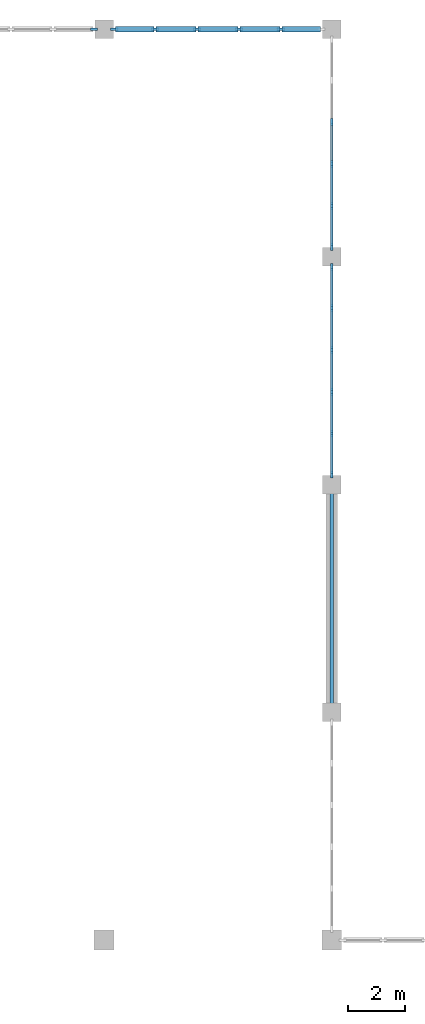
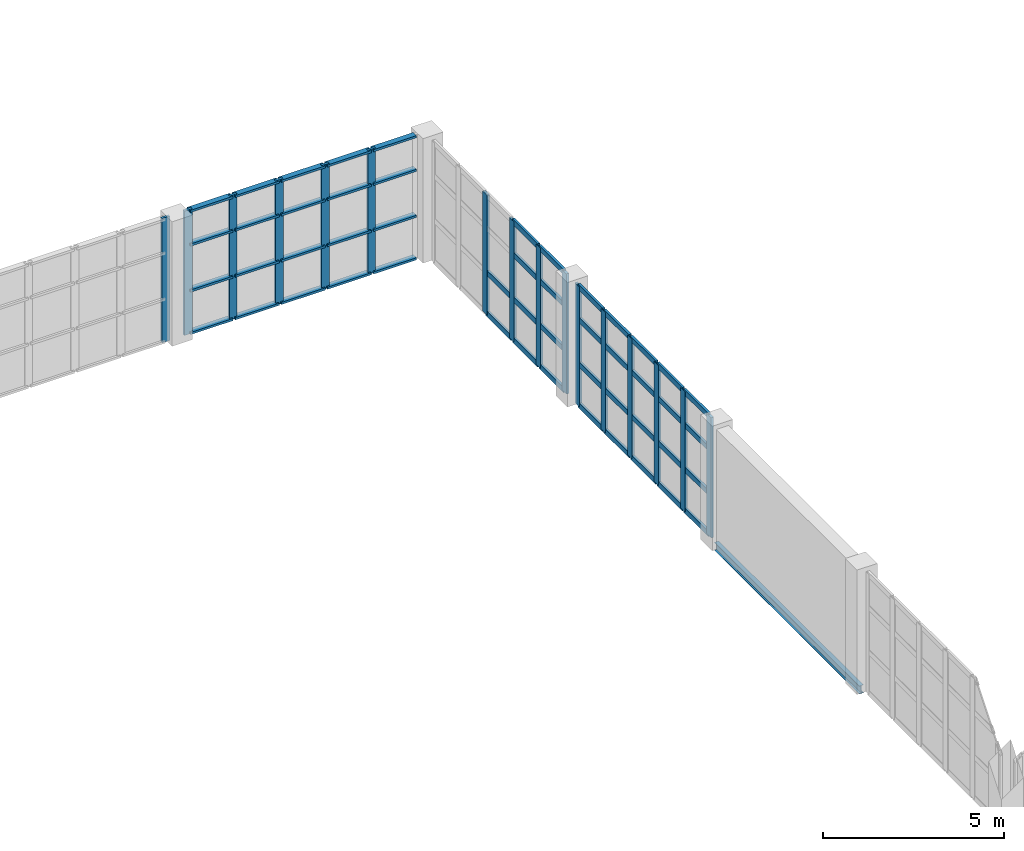
# One storey, part 22 of 66: 66 members, 1 beam, 4 elements without a shape of their own.
"""IFC4 building model written with IfcOpenShell, lengths in metres."""

from ifc_helpers import new_model, si_unit, direction, frame, origin, origin_2d, place, context, subcontext, project, spatial, rectangle, i_section, extrude, material, layer, layer_set, material_profile, profile_set, type_object, element, aggregate, save


model = new_model("IFC4")

# Units and contexts
model_context = context("Model", 3, precision=1e-05, world=origin(), true_north=direction((0.0, 1.0)))
body_context = subcontext(model_context, "Body", "Model", "MODEL_VIEW")
ifc_project = project(units=[si_unit("LENGTHUNIT", "METRE"), si_unit("AREAUNIT", "SQUARE_METRE"), si_unit("VOLUMEUNIT", "CUBIC_METRE"), si_unit("PLANEANGLEUNIT", "RADIAN"), si_unit("MASSUNIT", "GRAM", prefix="KILO")], contexts=[model_context])

# Site, building, storey
site_placement = place(None, origin())
site = spatial("IfcSite", under=ifc_project, at=site_placement, CompositionType="ELEMENT")
building_placement = place(site_placement, origin())
building = spatial("IfcBuilding", under=site, at=building_placement, Name="Drelvana Railside Aquatics Centre", CompositionType="ELEMENT")
storey_placement = place(building_placement, frame((0.0, 0.0, 10.199951171875)))
storey = spatial("IfcBuildingStorey", under=building, at=storey_placement, Name="L02", CompositionType="ELEMENT", Elevation=10.199951171875)

# Curtain wall, member
ifc_material_1 = material(Name="Bronze-anodised aluminium curtain wall", Category="aluminium")
ifc_layer = layer(ifc_material_1, 0.219970703125, Name="Bronze-anodised aluminium curtain wall")
ifc_layer_set = layer_set([ifc_layer], Name="Bronze-anodised aluminium curtain wall")
curtain_wall_type = type_object("IfcCurtainWallType", Name="CW-Z3-HIGH", PredefinedType="NOTDEFINED", material=ifc_layer_set)
curtain_wall_1_placement = place(storey_placement, origin())
curtain_wall_1 = element("IfcCurtainWall", 1, at=curtain_wall_1_placement, inside=storey, type_object=curtain_wall_type, Name="Curtain wall CW-03-039", PredefinedType="NOTDEFINED")
ifc_material_2 = material(Name="Bronze-anodised aluminium 6063-T6", Category="aluminium")
ifc_material_profile_1 = material_profile(ifc_material_2, rectangle(XDim=0.080078125, YDim=0.25, at=origin_2d()), Name="ALU-M 80x250")
ifc_profile_set_1 = profile_set([ifc_material_profile_1], Name="Bronze-anodised aluminium 6063-T6")
member_type_1 = type_object("IfcMemberType", Name="CW-Z3-HIGH-MUL", PredefinedType="MULLION", material=ifc_profile_set_1)
member_1_placement = place(storey_placement, frame((63.64111328125, 116.0, -0.005859375), z_axis=(0.0, 0.0, 1.0), x_axis=(0.0, 1.0, 0.0)))
member_1 = element("IfcMember", 2, at=member_1_placement, type_object=member_type_1, Name="CW-03 mullion 6", PredefinedType="MULLION", context=body_context, shape_type="SweptSolid", body=[
    extrude(rectangle(XDim=0.080078125, YDim=0.25, at=origin_2d()), origin(), (0.0, 0.0, 1.0), 4.19580078125),
])
aggregate(curtain_wall_1, [member_1])

# Curtain wall, members
curtain_wall_2_placement = place(storey_placement, origin())
curtain_wall_2 = element("IfcCurtainWall", 3, at=curtain_wall_2_placement, inside=storey, type_object=curtain_wall_type, Name="Curtain wall CW-03-041", PredefinedType="NOTDEFINED")
member_2_placement = place(storey_placement, frame((64.35888671875, 116.0, -0.005859375), z_axis=(0.0, 0.0, 1.0), x_axis=(0.0, 1.0, 0.0)))
member_2 = element("IfcMember", 4, at=member_2_placement, type_object=member_type_1, Name="CW-03 mullion 1", PredefinedType="MULLION", context=body_context, shape_type="SweptSolid", body=[
    extrude(rectangle(XDim=0.080078125, YDim=0.25, at=origin_2d()), origin(), (0.0, 0.0, 1.0), 4.19580078125),
])
member_3_placement = place(storey_placement, frame((65.79150390625, 116.0, -0.005859375), z_axis=(0.0, 0.0, 1.0), x_axis=(0.0, 1.0, 0.0)))
member_3 = element("IfcMember", 5, at=member_3_placement, type_object=member_type_1, Name="CW-03 mullion 2", PredefinedType="MULLION", context=body_context, shape_type="SweptSolid", body=[
    extrude(rectangle(XDim=0.080078125, YDim=0.25, at=origin_2d()), origin(), (0.0, 0.0, 1.0), 4.19580078125),
])
member_4_placement = place(storey_placement, frame((67.263916015625, 116.0, -0.005859375), z_axis=(0.0, 0.0, 1.0), x_axis=(0.0, 1.0, 0.0)))
member_4 = element("IfcMember", 6, at=member_4_placement, type_object=member_type_1, Name="CW-03 mullion 3", PredefinedType="MULLION", context=body_context, shape_type="SweptSolid", body=[
    extrude(rectangle(XDim=0.080078125, YDim=0.25, at=origin_2d()), origin(), (0.0, 0.0, 1.0), 4.19580078125),
])
member_5_placement = place(storey_placement, frame((68.736083984375, 116.0, -0.005859375), z_axis=(0.0, 0.0, 1.0), x_axis=(0.0, 1.0, 0.0)))
member_5 = element("IfcMember", 7, at=member_5_placement, type_object=member_type_1, Name="CW-03 mullion 4", PredefinedType="MULLION", context=body_context, shape_type="SweptSolid", body=[
    extrude(rectangle(XDim=0.080078125, YDim=0.25, at=origin_2d()), origin(), (0.0, 0.0, 1.0), 4.19580078125),
])
member_6_placement = place(storey_placement, frame((70.20849609375, 116.0, -0.005859375), z_axis=(0.0, 0.0, 1.0), x_axis=(0.0, 1.0, 0.0)))
member_6 = element("IfcMember", 8, at=member_6_placement, type_object=member_type_1, Name="CW-03 mullion 5", PredefinedType="MULLION", context=body_context, shape_type="SweptSolid", body=[
    extrude(rectangle(XDim=0.080078125, YDim=0.25, at=origin_2d()), origin(), (0.0, 0.0, 1.0), 4.19580078125),
])

curtain_wall_3_placement = place(storey_placement, origin())
curtain_wall_3 = element("IfcCurtainWall", 9, at=curtain_wall_3_placement, inside=storey, type_object=curtain_wall_type, Name="Curtain wall CW-03-095", PredefinedType="NOTDEFINED")
member_7_placement = place(storey_placement, frame((72.0, 100.35888671875, -0.005859375), z_axis=(0.0, 0.0, 1.0), x_axis=(-1.0, 0.0, 0.0)))
member_7 = element("IfcMember", 10, at=member_7_placement, type_object=member_type_1, Name="CW-03 mullion 1", PredefinedType="MULLION", context=body_context, shape_type="SweptSolid", body=[
    extrude(rectangle(XDim=0.080078125, YDim=0.25, at=origin_2d()), origin(), (0.0, 0.0, 1.0), 4.055908203125),
])
member_8_placement = place(storey_placement, frame((72.0, 101.79150390625, -0.005859375), z_axis=(0.0, 0.0, 1.0), x_axis=(-1.0, 0.0, 0.0)))
member_8 = element("IfcMember", 11, at=member_8_placement, type_object=member_type_1, Name="CW-03 mullion 2", PredefinedType="MULLION", context=body_context, shape_type="SweptSolid", body=[
    extrude(rectangle(XDim=0.080078125, YDim=0.25, at=origin_2d()), origin(), (0.0, 0.0, 1.0), 4.055908203125),
])
member_9_placement = place(storey_placement, frame((72.0, 103.263916015625, -0.005859375), z_axis=(0.0, 0.0, 1.0), x_axis=(-1.0, 0.0, 0.0)))
member_9 = element("IfcMember", 12, at=member_9_placement, type_object=member_type_1, Name="CW-03 mullion 3", PredefinedType="MULLION", context=body_context, shape_type="SweptSolid", body=[
    extrude(rectangle(XDim=0.080078125, YDim=0.25, at=origin_2d()), origin(), (0.0, 0.0, 1.0), 4.055908203125),
])
member_10_placement = place(storey_placement, frame((72.0, 104.736083984375, -0.005859375), z_axis=(0.0, 0.0, 1.0), x_axis=(-1.0, 0.0, 0.0)))
member_10 = element("IfcMember", 13, at=member_10_placement, type_object=member_type_1, Name="CW-03 mullion 4", PredefinedType="MULLION", context=body_context, shape_type="SweptSolid", body=[
    extrude(rectangle(XDim=0.080078125, YDim=0.25, at=origin_2d()), origin(), (0.0, 0.0, 1.0), 4.055908203125),
])
member_11_placement = place(storey_placement, frame((72.0, 106.20849609375, -0.005859375), z_axis=(0.0, 0.0, 1.0), x_axis=(-1.0, 0.0, 0.0)))
member_11 = element("IfcMember", 14, at=member_11_placement, type_object=member_type_1, Name="CW-03 mullion 5", PredefinedType="MULLION", context=body_context, shape_type="SweptSolid", body=[
    extrude(rectangle(XDim=0.080078125, YDim=0.25, at=origin_2d()), origin(), (0.0, 0.0, 1.0), 4.055908203125),
])
member_12_placement = place(storey_placement, frame((72.0, 107.64111328125, -0.005859375), z_axis=(0.0, 0.0, 1.0), x_axis=(-1.0, 0.0, 0.0)))
member_12 = element("IfcMember", 15, at=member_12_placement, type_object=member_type_1, Name="CW-03 mullion 6", PredefinedType="MULLION", context=body_context, shape_type="SweptSolid", body=[
    extrude(rectangle(XDim=0.080078125, YDim=0.25, at=origin_2d()), origin(), (0.0, 0.0, 1.0), 4.055908203125),
])

curtain_wall_4_placement = place(storey_placement, origin())
curtain_wall_4 = element("IfcCurtainWall", 16, at=curtain_wall_4_placement, inside=storey, type_object=curtain_wall_type, Name="Curtain wall CW-03-098", PredefinedType="NOTDEFINED")
member_13_placement = place(storey_placement, frame((72.0, 108.35888671875, -0.005859375), z_axis=(0.0, 0.0, 1.0), x_axis=(-1.0, 0.0, 0.0)))
member_13 = element("IfcMember", 17, at=member_13_placement, type_object=member_type_1, Name="CW-03 mullion 1", PredefinedType="MULLION", context=body_context, shape_type="SweptSolid", body=[
    extrude(rectangle(XDim=0.080078125, YDim=0.25, at=origin_2d()), origin(), (0.0, 0.0, 1.0), 4.055908203125),
])
member_14_placement = place(storey_placement, frame((72.0, 109.79150390625, -0.005859375), z_axis=(0.0, 0.0, 1.0), x_axis=(-1.0, 0.0, 0.0)))
member_14 = element("IfcMember", 18, at=member_14_placement, type_object=member_type_1, Name="CW-03 mullion 2", PredefinedType="MULLION", context=body_context, shape_type="SweptSolid", body=[
    extrude(rectangle(XDim=0.080078125, YDim=0.25, at=origin_2d()), origin(), (0.0, 0.0, 1.0), 4.055908203125),
])
member_15_placement = place(storey_placement, frame((72.0, 111.263916015625, -0.005859375), z_axis=(0.0, 0.0, 1.0), x_axis=(-1.0, 0.0, 0.0)))
member_15 = element("IfcMember", 19, at=member_15_placement, type_object=member_type_1, Name="CW-03 mullion 3", PredefinedType="MULLION", context=body_context, shape_type="SweptSolid", body=[
    extrude(rectangle(XDim=0.080078125, YDim=0.25, at=origin_2d()), origin(), (0.0, 0.0, 1.0), 4.055908203125),
])
member_16_placement = place(storey_placement, frame((72.0, 112.736083984375, -0.005859375), z_axis=(0.0, 0.0, 1.0), x_axis=(-1.0, 0.0, 0.0)))
member_16 = element("IfcMember", 20, at=member_16_placement, type_object=member_type_1, Name="CW-03 mullion 4", PredefinedType="MULLION", context=body_context, shape_type="SweptSolid", body=[
    extrude(rectangle(XDim=0.080078125, YDim=0.25, at=origin_2d()), origin(), (0.0, 0.0, 1.0), 4.055908203125),
])

# Member
ifc_material_profile_2 = material_profile(ifc_material_2, rectangle(XDim=0.179931640625, YDim=0.074951171875, at=origin_2d()), Name="ALU-T 75x180")
ifc_profile_set_2 = profile_set([ifc_material_profile_2], Name="Bronze-anodised aluminium 6063-T6")
member_type_2 = type_object("IfcMemberType", Name="CW-Z3-HIGH-TRN", PredefinedType="USERDEFINED", material=ifc_profile_set_2)
member_17_placement = place(storey_placement, frame((64.39404296875, 116.0, 0.031494140625), z_axis=(1.0, 0.0, 0.0), x_axis=(0.0, 1.0, 0.0)))
member_17 = element("IfcMember", 21, at=member_17_placement, type_object=member_type_2, Name="CW-03 transom 1.1", ObjectType="TRANSOM", PredefinedType="USERDEFINED", context=body_context, shape_type="SweptSolid", body=[
    extrude(rectangle(XDim=0.179931640625, YDim=0.074951171875, at=origin_2d()), origin(), (0.0, 0.0, 1.0), 1.3623046875),
])

member_18_placement = place(storey_placement, frame((64.39404296875, 116.0, 1.463134765625), z_axis=(1.0, 0.0, 0.0), x_axis=(0.0, 1.0, 0.0)))
member_18 = element("IfcMember", 22, at=member_18_placement, type_object=member_type_2, Name="CW-03 transom 1.2", ObjectType="TRANSOM", PredefinedType="USERDEFINED", context=body_context, shape_type="SweptSolid", body=[
    extrude(rectangle(XDim=0.179931640625, YDim=0.074951171875, at=origin_2d()), origin(), (0.0, 0.0, 1.0), 1.3623046875),
])

member_19_placement = place(storey_placement, frame((64.39404296875, 116.0, 3.01513671875), z_axis=(1.0, 0.0, 0.0), x_axis=(0.0, 1.0, 0.0)))
member_19 = element("IfcMember", 23, at=member_19_placement, type_object=member_type_2, Name="CW-03 transom 1.3", ObjectType="TRANSOM", PredefinedType="USERDEFINED", context=body_context, shape_type="SweptSolid", body=[
    extrude(rectangle(XDim=0.179931640625, YDim=0.074951171875, at=origin_2d()), origin(), (0.0, 0.0, 1.0), 1.3623046875),
])

member_20_placement = place(storey_placement, frame((64.39404296875, 116.0, 4.152587890625), z_axis=(1.0, 0.0, 0.0), x_axis=(0.0, 1.0, 0.0)))
member_20 = element("IfcMember", 24, at=member_20_placement, type_object=member_type_2, Name="CW-03 transom 1.4", ObjectType="TRANSOM", PredefinedType="USERDEFINED", context=body_context, shape_type="SweptSolid", body=[
    extrude(rectangle(XDim=0.179931640625, YDim=0.074951171875, at=origin_2d()), origin(), (0.0, 0.0, 1.0), 1.3623046875),
])

member_21_placement = place(storey_placement, frame((65.826416015625, 116.0, 0.031494140625), z_axis=(1.0, 0.0, 0.0), x_axis=(0.0, 1.0, 0.0)))
member_21 = element("IfcMember", 25, at=member_21_placement, type_object=member_type_2, Name="CW-03 transom 2.1", ObjectType="TRANSOM", PredefinedType="USERDEFINED", context=body_context, shape_type="SweptSolid", body=[
    extrude(rectangle(XDim=0.179931640625, YDim=0.074951171875, at=origin_2d()), origin(), (0.0, 0.0, 1.0), 1.40234375),
])

member_22_placement = place(storey_placement, frame((65.826416015625, 116.0, 1.463134765625), z_axis=(1.0, 0.0, 0.0), x_axis=(0.0, 1.0, 0.0)))
member_22 = element("IfcMember", 26, at=member_22_placement, type_object=member_type_2, Name="CW-03 transom 2.2", ObjectType="TRANSOM", PredefinedType="USERDEFINED", context=body_context, shape_type="SweptSolid", body=[
    extrude(rectangle(XDim=0.179931640625, YDim=0.074951171875, at=origin_2d()), origin(), (0.0, 0.0, 1.0), 1.40234375),
])

member_23_placement = place(storey_placement, frame((65.826416015625, 116.0, 3.01513671875), z_axis=(1.0, 0.0, 0.0), x_axis=(0.0, 1.0, 0.0)))
member_23 = element("IfcMember", 27, at=member_23_placement, type_object=member_type_2, Name="CW-03 transom 2.3", ObjectType="TRANSOM", PredefinedType="USERDEFINED", context=body_context, shape_type="SweptSolid", body=[
    extrude(rectangle(XDim=0.179931640625, YDim=0.074951171875, at=origin_2d()), origin(), (0.0, 0.0, 1.0), 1.40234375),
])

member_24_placement = place(storey_placement, frame((65.826416015625, 116.0, 4.152587890625), z_axis=(1.0, 0.0, 0.0), x_axis=(0.0, 1.0, 0.0)))
member_24 = element("IfcMember", 28, at=member_24_placement, type_object=member_type_2, Name="CW-03 transom 2.4", ObjectType="TRANSOM", PredefinedType="USERDEFINED", context=body_context, shape_type="SweptSolid", body=[
    extrude(rectangle(XDim=0.179931640625, YDim=0.074951171875, at=origin_2d()), origin(), (0.0, 0.0, 1.0), 1.40234375),
])

member_25_placement = place(storey_placement, frame((67.298828125, 116.0, 0.031494140625), z_axis=(1.0, 0.0, 0.0), x_axis=(0.0, 1.0, 0.0)))
member_25 = element("IfcMember", 29, at=member_25_placement, type_object=member_type_2, Name="CW-03 transom 3.1", ObjectType="TRANSOM", PredefinedType="USERDEFINED", context=body_context, shape_type="SweptSolid", body=[
    extrude(rectangle(XDim=0.179931640625, YDim=0.074951171875, at=origin_2d()), origin(), (0.0, 0.0, 1.0), 1.40234375),
])

member_26_placement = place(storey_placement, frame((67.298828125, 116.0, 1.463134765625), z_axis=(1.0, 0.0, 0.0), x_axis=(0.0, 1.0, 0.0)))
member_26 = element("IfcMember", 30, at=member_26_placement, type_object=member_type_2, Name="CW-03 transom 3.2", ObjectType="TRANSOM", PredefinedType="USERDEFINED", context=body_context, shape_type="SweptSolid", body=[
    extrude(rectangle(XDim=0.179931640625, YDim=0.074951171875, at=origin_2d()), origin(), (0.0, 0.0, 1.0), 1.40234375),
])

member_27_placement = place(storey_placement, frame((67.298828125, 116.0, 3.01513671875), z_axis=(1.0, 0.0, 0.0), x_axis=(0.0, 1.0, 0.0)))
member_27 = element("IfcMember", 31, at=member_27_placement, type_object=member_type_2, Name="CW-03 transom 3.3", ObjectType="TRANSOM", PredefinedType="USERDEFINED", context=body_context, shape_type="SweptSolid", body=[
    extrude(rectangle(XDim=0.179931640625, YDim=0.074951171875, at=origin_2d()), origin(), (0.0, 0.0, 1.0), 1.40234375),
])

member_28_placement = place(storey_placement, frame((67.298828125, 116.0, 4.152587890625), z_axis=(1.0, 0.0, 0.0), x_axis=(0.0, 1.0, 0.0)))
member_28 = element("IfcMember", 32, at=member_28_placement, type_object=member_type_2, Name="CW-03 transom 3.4", ObjectType="TRANSOM", PredefinedType="USERDEFINED", context=body_context, shape_type="SweptSolid", body=[
    extrude(rectangle(XDim=0.179931640625, YDim=0.074951171875, at=origin_2d()), origin(), (0.0, 0.0, 1.0), 1.40234375),
])

member_29_placement = place(storey_placement, frame((68.771240234375, 116.0, 0.031494140625), z_axis=(1.0, 0.0, 0.0), x_axis=(0.0, 1.0, 0.0)))
member_29 = element("IfcMember", 33, at=member_29_placement, type_object=member_type_2, Name="CW-03 transom 4.1", ObjectType="TRANSOM", PredefinedType="USERDEFINED", context=body_context, shape_type="SweptSolid", body=[
    extrude(rectangle(XDim=0.179931640625, YDim=0.074951171875, at=origin_2d()), origin(), (0.0, 0.0, 1.0), 1.40234375),
])

member_30_placement = place(storey_placement, frame((68.771240234375, 116.0, 1.463134765625), z_axis=(1.0, 0.0, 0.0), x_axis=(0.0, 1.0, 0.0)))
member_30 = element("IfcMember", 34, at=member_30_placement, type_object=member_type_2, Name="CW-03 transom 4.2", ObjectType="TRANSOM", PredefinedType="USERDEFINED", context=body_context, shape_type="SweptSolid", body=[
    extrude(rectangle(XDim=0.179931640625, YDim=0.074951171875, at=origin_2d()), origin(), (0.0, 0.0, 1.0), 1.40234375),
])

member_31_placement = place(storey_placement, frame((68.771240234375, 116.0, 3.01513671875), z_axis=(1.0, 0.0, 0.0), x_axis=(0.0, 1.0, 0.0)))
member_31 = element("IfcMember", 35, at=member_31_placement, type_object=member_type_2, Name="CW-03 transom 4.3", ObjectType="TRANSOM", PredefinedType="USERDEFINED", context=body_context, shape_type="SweptSolid", body=[
    extrude(rectangle(XDim=0.179931640625, YDim=0.074951171875, at=origin_2d()), origin(), (0.0, 0.0, 1.0), 1.40234375),
])

member_32_placement = place(storey_placement, frame((68.771240234375, 116.0, 4.152587890625), z_axis=(1.0, 0.0, 0.0), x_axis=(0.0, 1.0, 0.0)))
member_32 = element("IfcMember", 36, at=member_32_placement, type_object=member_type_2, Name="CW-03 transom 4.4", ObjectType="TRANSOM", PredefinedType="USERDEFINED", context=body_context, shape_type="SweptSolid", body=[
    extrude(rectangle(XDim=0.179931640625, YDim=0.074951171875, at=origin_2d()), origin(), (0.0, 0.0, 1.0), 1.40234375),
])

member_33_placement = place(storey_placement, frame((70.24365234375, 116.0, 0.031494140625), z_axis=(1.0, 0.0, 0.0), x_axis=(0.0, 1.0, 0.0)))
member_33 = element("IfcMember", 37, at=member_33_placement, type_object=member_type_2, Name="CW-03 transom 5.1", ObjectType="TRANSOM", PredefinedType="USERDEFINED", context=body_context, shape_type="SweptSolid", body=[
    extrude(rectangle(XDim=0.179931640625, YDim=0.074951171875, at=origin_2d()), origin(), (0.0, 0.0, 1.0), 1.3623046875),
])

member_34_placement = place(storey_placement, frame((70.24365234375, 116.0, 1.463134765625), z_axis=(1.0, 0.0, 0.0), x_axis=(0.0, 1.0, 0.0)))
member_34 = element("IfcMember", 38, at=member_34_placement, type_object=member_type_2, Name="CW-03 transom 5.2", ObjectType="TRANSOM", PredefinedType="USERDEFINED", context=body_context, shape_type="SweptSolid", body=[
    extrude(rectangle(XDim=0.179931640625, YDim=0.074951171875, at=origin_2d()), origin(), (0.0, 0.0, 1.0), 1.3623046875),
])

member_35_placement = place(storey_placement, frame((70.24365234375, 116.0, 3.01513671875), z_axis=(1.0, 0.0, 0.0), x_axis=(0.0, 1.0, 0.0)))
member_35 = element("IfcMember", 39, at=member_35_placement, type_object=member_type_2, Name="CW-03 transom 5.3", ObjectType="TRANSOM", PredefinedType="USERDEFINED", context=body_context, shape_type="SweptSolid", body=[
    extrude(rectangle(XDim=0.179931640625, YDim=0.074951171875, at=origin_2d()), origin(), (0.0, 0.0, 1.0), 1.3623046875),
])

member_36_placement = place(storey_placement, frame((70.24365234375, 116.0, 4.152587890625), z_axis=(1.0, 0.0, 0.0), x_axis=(0.0, 1.0, 0.0)))
member_36 = element("IfcMember", 40, at=member_36_placement, type_object=member_type_2, Name="CW-03 transom 5.4", ObjectType="TRANSOM", PredefinedType="USERDEFINED", context=body_context, shape_type="SweptSolid", body=[
    extrude(rectangle(XDim=0.179931640625, YDim=0.074951171875, at=origin_2d()), origin(), (0.0, 0.0, 1.0), 1.3623046875),
])

aggregate(curtain_wall_2, [member_2, member_3, member_4, member_5, member_6, member_17, member_18, member_19, member_20, member_21, member_22, member_23, member_24, member_25, member_26, member_27, member_28, member_29, member_30, member_31, member_32, member_33, member_34, member_35, member_36])

member_37_placement = place(storey_placement, frame((72.0, 100.39404296875, 0.031494140625), z_axis=(0.0, 1.0, 0.0), x_axis=(0.0, 0.0, 1.0)))
member_37 = element("IfcMember", 41, at=member_37_placement, type_object=member_type_2, Name="CW-03 transom 1.1", ObjectType="TRANSOM", PredefinedType="USERDEFINED", context=body_context, shape_type="SweptSolid", body=[
    extrude(rectangle(XDim=0.179931640625, YDim=0.074951171875, at=origin_2d()), origin(), (0.0, 0.0, 1.0), 1.3623046875),
])

member_38_placement = place(storey_placement, frame((72.0, 100.39404296875, 1.4140625), z_axis=(0.0, 1.0, 0.0), x_axis=(0.0, 0.0, 1.0)))
member_38 = element("IfcMember", 42, at=member_38_placement, type_object=member_type_2, Name="CW-03 transom 1.2", ObjectType="TRANSOM", PredefinedType="USERDEFINED", context=body_context, shape_type="SweptSolid", body=[
    extrude(rectangle(XDim=0.179931640625, YDim=0.074951171875, at=origin_2d()), origin(), (0.0, 0.0, 1.0), 1.3623046875),
])

member_39_placement = place(storey_placement, frame((72.0, 100.39404296875, 2.9140625), z_axis=(0.0, 1.0, 0.0), x_axis=(0.0, 0.0, 1.0)))
member_39 = element("IfcMember", 43, at=member_39_placement, type_object=member_type_2, Name="CW-03 transom 1.3", ObjectType="TRANSOM", PredefinedType="USERDEFINED", context=body_context, shape_type="SweptSolid", body=[
    extrude(rectangle(XDim=0.179931640625, YDim=0.074951171875, at=origin_2d()), origin(), (0.0, 0.0, 1.0), 1.3623046875),
])

member_40_placement = place(storey_placement, frame((72.0, 100.39404296875, 4.012451171875), z_axis=(0.0, 1.0, 0.0), x_axis=(0.0, 0.0, 1.0)))
member_40 = element("IfcMember", 44, at=member_40_placement, type_object=member_type_2, Name="CW-03 transom 1.4", ObjectType="TRANSOM", PredefinedType="USERDEFINED", context=body_context, shape_type="SweptSolid", body=[
    extrude(rectangle(XDim=0.179931640625, YDim=0.074951171875, at=origin_2d()), origin(), (0.0, 0.0, 1.0), 1.3623046875),
])

member_41_placement = place(storey_placement, frame((72.0, 101.826416015625, 0.031494140625), z_axis=(0.0, 1.0, 0.0), x_axis=(0.0, 0.0, 1.0)))
member_41 = element("IfcMember", 45, at=member_41_placement, type_object=member_type_2, Name="CW-03 transom 2.1", ObjectType="TRANSOM", PredefinedType="USERDEFINED", context=body_context, shape_type="SweptSolid", body=[
    extrude(rectangle(XDim=0.179931640625, YDim=0.074951171875, at=origin_2d()), origin(), (0.0, 0.0, 1.0), 1.40234375),
])

member_42_placement = place(storey_placement, frame((72.0, 101.826416015625, 1.4140625), z_axis=(0.0, 1.0, 0.0), x_axis=(0.0, 0.0, 1.0)))
member_42 = element("IfcMember", 46, at=member_42_placement, type_object=member_type_2, Name="CW-03 transom 2.2", ObjectType="TRANSOM", PredefinedType="USERDEFINED", context=body_context, shape_type="SweptSolid", body=[
    extrude(rectangle(XDim=0.179931640625, YDim=0.074951171875, at=origin_2d()), origin(), (0.0, 0.0, 1.0), 1.40234375),
])

member_43_placement = place(storey_placement, frame((72.0, 101.826416015625, 2.9140625), z_axis=(0.0, 1.0, 0.0), x_axis=(0.0, 0.0, 1.0)))
member_43 = element("IfcMember", 47, at=member_43_placement, type_object=member_type_2, Name="CW-03 transom 2.3", ObjectType="TRANSOM", PredefinedType="USERDEFINED", context=body_context, shape_type="SweptSolid", body=[
    extrude(rectangle(XDim=0.179931640625, YDim=0.074951171875, at=origin_2d()), origin(), (0.0, 0.0, 1.0), 1.40234375),
])

member_44_placement = place(storey_placement, frame((72.0, 101.826416015625, 4.012451171875), z_axis=(0.0, 1.0, 0.0), x_axis=(0.0, 0.0, 1.0)))
member_44 = element("IfcMember", 48, at=member_44_placement, type_object=member_type_2, Name="CW-03 transom 2.4", ObjectType="TRANSOM", PredefinedType="USERDEFINED", context=body_context, shape_type="SweptSolid", body=[
    extrude(rectangle(XDim=0.179931640625, YDim=0.074951171875, at=origin_2d()), origin(), (0.0, 0.0, 1.0), 1.40234375),
])

member_45_placement = place(storey_placement, frame((72.0, 103.298828125, 0.031494140625), z_axis=(0.0, 1.0, 0.0), x_axis=(0.0, 0.0, 1.0)))
member_45 = element("IfcMember", 49, at=member_45_placement, type_object=member_type_2, Name="CW-03 transom 3.1", ObjectType="TRANSOM", PredefinedType="USERDEFINED", context=body_context, shape_type="SweptSolid", body=[
    extrude(rectangle(XDim=0.179931640625, YDim=0.074951171875, at=origin_2d()), origin(), (0.0, 0.0, 1.0), 1.40234375),
])

member_46_placement = place(storey_placement, frame((72.0, 103.298828125, 1.4140625), z_axis=(0.0, 1.0, 0.0), x_axis=(0.0, 0.0, 1.0)))
member_46 = element("IfcMember", 50, at=member_46_placement, type_object=member_type_2, Name="CW-03 transom 3.2", ObjectType="TRANSOM", PredefinedType="USERDEFINED", context=body_context, shape_type="SweptSolid", body=[
    extrude(rectangle(XDim=0.179931640625, YDim=0.074951171875, at=origin_2d()), origin(), (0.0, 0.0, 1.0), 1.40234375),
])

member_47_placement = place(storey_placement, frame((72.0, 103.298828125, 2.9140625), z_axis=(0.0, 1.0, 0.0), x_axis=(0.0, 0.0, 1.0)))
member_47 = element("IfcMember", 51, at=member_47_placement, type_object=member_type_2, Name="CW-03 transom 3.3", ObjectType="TRANSOM", PredefinedType="USERDEFINED", context=body_context, shape_type="SweptSolid", body=[
    extrude(rectangle(XDim=0.179931640625, YDim=0.074951171875, at=origin_2d()), origin(), (0.0, 0.0, 1.0), 1.40234375),
])

member_48_placement = place(storey_placement, frame((72.0, 103.298828125, 4.012451171875), z_axis=(0.0, 1.0, 0.0), x_axis=(0.0, 0.0, 1.0)))
member_48 = element("IfcMember", 52, at=member_48_placement, type_object=member_type_2, Name="CW-03 transom 3.4", ObjectType="TRANSOM", PredefinedType="USERDEFINED", context=body_context, shape_type="SweptSolid", body=[
    extrude(rectangle(XDim=0.179931640625, YDim=0.074951171875, at=origin_2d()), origin(), (0.0, 0.0, 1.0), 1.40234375),
])

member_49_placement = place(storey_placement, frame((72.0, 104.771240234375, 0.031494140625), z_axis=(0.0, 1.0, 0.0), x_axis=(0.0, 0.0, 1.0)))
member_49 = element("IfcMember", 53, at=member_49_placement, type_object=member_type_2, Name="CW-03 transom 4.1", ObjectType="TRANSOM", PredefinedType="USERDEFINED", context=body_context, shape_type="SweptSolid", body=[
    extrude(rectangle(XDim=0.179931640625, YDim=0.074951171875, at=origin_2d()), origin(), (0.0, 0.0, 1.0), 1.40234375),
])

member_50_placement = place(storey_placement, frame((72.0, 104.771240234375, 1.4140625), z_axis=(0.0, 1.0, 0.0), x_axis=(0.0, 0.0, 1.0)))
member_50 = element("IfcMember", 54, at=member_50_placement, type_object=member_type_2, Name="CW-03 transom 4.2", ObjectType="TRANSOM", PredefinedType="USERDEFINED", context=body_context, shape_type="SweptSolid", body=[
    extrude(rectangle(XDim=0.179931640625, YDim=0.074951171875, at=origin_2d()), origin(), (0.0, 0.0, 1.0), 1.40234375),
])

member_51_placement = place(storey_placement, frame((72.0, 104.771240234375, 2.9140625), z_axis=(0.0, 1.0, 0.0), x_axis=(0.0, 0.0, 1.0)))
member_51 = element("IfcMember", 55, at=member_51_placement, type_object=member_type_2, Name="CW-03 transom 4.3", ObjectType="TRANSOM", PredefinedType="USERDEFINED", context=body_context, shape_type="SweptSolid", body=[
    extrude(rectangle(XDim=0.179931640625, YDim=0.074951171875, at=origin_2d()), origin(), (0.0, 0.0, 1.0), 1.40234375),
])

member_52_placement = place(storey_placement, frame((72.0, 104.771240234375, 4.012451171875), z_axis=(0.0, 1.0, 0.0), x_axis=(0.0, 0.0, 1.0)))
member_52 = element("IfcMember", 56, at=member_52_placement, type_object=member_type_2, Name="CW-03 transom 4.4", ObjectType="TRANSOM", PredefinedType="USERDEFINED", context=body_context, shape_type="SweptSolid", body=[
    extrude(rectangle(XDim=0.179931640625, YDim=0.074951171875, at=origin_2d()), origin(), (0.0, 0.0, 1.0), 1.40234375),
])

member_53_placement = place(storey_placement, frame((72.0, 106.24365234375, 0.031494140625), z_axis=(0.0, 1.0, 0.0), x_axis=(0.0, 0.0, 1.0)))
member_53 = element("IfcMember", 57, at=member_53_placement, type_object=member_type_2, Name="CW-03 transom 5.1", ObjectType="TRANSOM", PredefinedType="USERDEFINED", context=body_context, shape_type="SweptSolid", body=[
    extrude(rectangle(XDim=0.179931640625, YDim=0.074951171875, at=origin_2d()), origin(), (0.0, 0.0, 1.0), 1.3623046875),
])

member_54_placement = place(storey_placement, frame((72.0, 106.24365234375, 1.4140625), z_axis=(0.0, 1.0, 0.0), x_axis=(0.0, 0.0, 1.0)))
member_54 = element("IfcMember", 58, at=member_54_placement, type_object=member_type_2, Name="CW-03 transom 5.2", ObjectType="TRANSOM", PredefinedType="USERDEFINED", context=body_context, shape_type="SweptSolid", body=[
    extrude(rectangle(XDim=0.179931640625, YDim=0.074951171875, at=origin_2d()), origin(), (0.0, 0.0, 1.0), 1.3623046875),
])

member_55_placement = place(storey_placement, frame((72.0, 106.24365234375, 2.9140625), z_axis=(0.0, 1.0, 0.0), x_axis=(0.0, 0.0, 1.0)))
member_55 = element("IfcMember", 59, at=member_55_placement, type_object=member_type_2, Name="CW-03 transom 5.3", ObjectType="TRANSOM", PredefinedType="USERDEFINED", context=body_context, shape_type="SweptSolid", body=[
    extrude(rectangle(XDim=0.179931640625, YDim=0.074951171875, at=origin_2d()), origin(), (0.0, 0.0, 1.0), 1.3623046875),
])

member_56_placement = place(storey_placement, frame((72.0, 106.24365234375, 4.012451171875), z_axis=(0.0, 1.0, 0.0), x_axis=(0.0, 0.0, 1.0)))
member_56 = element("IfcMember", 60, at=member_56_placement, type_object=member_type_2, Name="CW-03 transom 5.4", ObjectType="TRANSOM", PredefinedType="USERDEFINED", context=body_context, shape_type="SweptSolid", body=[
    extrude(rectangle(XDim=0.179931640625, YDim=0.074951171875, at=origin_2d()), origin(), (0.0, 0.0, 1.0), 1.3623046875),
])

aggregate(curtain_wall_3, [member_7, member_8, member_9, member_10, member_11, member_12, member_37, member_38, member_39, member_40, member_41, member_42, member_43, member_44, member_45, member_46, member_47, member_48, member_49, member_50, member_51, member_52, member_53, member_54, member_55, member_56])

member_57_placement = place(storey_placement, frame((72.0, 108.39404296875, 0.031494140625), z_axis=(0.0, 1.0, 0.0), x_axis=(0.0, 0.0, 1.0)))
member_57 = element("IfcMember", 61, at=member_57_placement, type_object=member_type_2, Name="CW-03 transom 1.1", ObjectType="TRANSOM", PredefinedType="USERDEFINED", context=body_context, shape_type="SweptSolid", body=[
    extrude(rectangle(XDim=0.179931640625, YDim=0.074951171875, at=origin_2d()), origin(), (0.0, 0.0, 1.0), 1.3623046875),
])

member_58_placement = place(storey_placement, frame((72.0, 108.39404296875, 1.4140625), z_axis=(0.0, 1.0, 0.0), x_axis=(0.0, 0.0, 1.0)))
member_58 = element("IfcMember", 62, at=member_58_placement, type_object=member_type_2, Name="CW-03 transom 1.2", ObjectType="TRANSOM", PredefinedType="USERDEFINED", context=body_context, shape_type="SweptSolid", body=[
    extrude(rectangle(XDim=0.179931640625, YDim=0.074951171875, at=origin_2d()), origin(), (0.0, 0.0, 1.0), 1.3623046875),
])

member_59_placement = place(storey_placement, frame((72.0, 108.39404296875, 2.9140625), z_axis=(0.0, 1.0, 0.0), x_axis=(0.0, 0.0, 1.0)))
member_59 = element("IfcMember", 63, at=member_59_placement, type_object=member_type_2, Name="CW-03 transom 1.3", ObjectType="TRANSOM", PredefinedType="USERDEFINED", context=body_context, shape_type="SweptSolid", body=[
    extrude(rectangle(XDim=0.179931640625, YDim=0.074951171875, at=origin_2d()), origin(), (0.0, 0.0, 1.0), 1.3623046875),
])

member_60_placement = place(storey_placement, frame((72.0, 108.39404296875, 4.012451171875), z_axis=(0.0, 1.0, 0.0), x_axis=(0.0, 0.0, 1.0)))
member_60 = element("IfcMember", 64, at=member_60_placement, type_object=member_type_2, Name="CW-03 transom 1.4", ObjectType="TRANSOM", PredefinedType="USERDEFINED", context=body_context, shape_type="SweptSolid", body=[
    extrude(rectangle(XDim=0.179931640625, YDim=0.074951171875, at=origin_2d()), origin(), (0.0, 0.0, 1.0), 1.3623046875),
])

member_61_placement = place(storey_placement, frame((72.0, 109.826416015625, 0.031494140625), z_axis=(0.0, 1.0, 0.0), x_axis=(0.0, 0.0, 1.0)))
member_61 = element("IfcMember", 65, at=member_61_placement, type_object=member_type_2, Name="CW-03 transom 2.1", ObjectType="TRANSOM", PredefinedType="USERDEFINED", context=body_context, shape_type="SweptSolid", body=[
    extrude(rectangle(XDim=0.179931640625, YDim=0.074951171875, at=origin_2d()), origin(), (0.0, 0.0, 1.0), 1.40234375),
])

member_62_placement = place(storey_placement, frame((72.0, 109.826416015625, 1.4140625), z_axis=(0.0, 1.0, 0.0), x_axis=(0.0, 0.0, 1.0)))
member_62 = element("IfcMember", 66, at=member_62_placement, type_object=member_type_2, Name="CW-03 transom 2.2", ObjectType="TRANSOM", PredefinedType="USERDEFINED", context=body_context, shape_type="SweptSolid", body=[
    extrude(rectangle(XDim=0.179931640625, YDim=0.074951171875, at=origin_2d()), origin(), (0.0, 0.0, 1.0), 1.40234375),
])

member_63_placement = place(storey_placement, frame((72.0, 109.826416015625, 2.9140625), z_axis=(0.0, 1.0, 0.0), x_axis=(0.0, 0.0, 1.0)))
member_63 = element("IfcMember", 67, at=member_63_placement, type_object=member_type_2, Name="CW-03 transom 2.3", ObjectType="TRANSOM", PredefinedType="USERDEFINED", context=body_context, shape_type="SweptSolid", body=[
    extrude(rectangle(XDim=0.179931640625, YDim=0.074951171875, at=origin_2d()), origin(), (0.0, 0.0, 1.0), 1.40234375),
])

member_64_placement = place(storey_placement, frame((72.0, 109.826416015625, 4.012451171875), z_axis=(0.0, 1.0, 0.0), x_axis=(0.0, 0.0, 1.0)))
member_64 = element("IfcMember", 68, at=member_64_placement, type_object=member_type_2, Name="CW-03 transom 2.4", ObjectType="TRANSOM", PredefinedType="USERDEFINED", context=body_context, shape_type="SweptSolid", body=[
    extrude(rectangle(XDim=0.179931640625, YDim=0.074951171875, at=origin_2d()), origin(), (0.0, 0.0, 1.0), 1.40234375),
])

member_65_placement = place(storey_placement, frame((72.0, 111.298828125, 0.031494140625), z_axis=(0.0, 1.0, 0.0), x_axis=(0.0, 0.0, 1.0)))
member_65 = element("IfcMember", 69, at=member_65_placement, type_object=member_type_2, Name="CW-03 transom 3.1", ObjectType="TRANSOM", PredefinedType="USERDEFINED", context=body_context, shape_type="SweptSolid", body=[
    extrude(rectangle(XDim=0.179931640625, YDim=0.074951171875, at=origin_2d()), origin(), (0.0, 0.0, 1.0), 1.40234375),
])

member_66_placement = place(storey_placement, frame((72.0, 111.298828125, 1.4140625), z_axis=(0.0, 1.0, 0.0), x_axis=(0.0, 0.0, 1.0)))
member_66 = element("IfcMember", 70, at=member_66_placement, type_object=member_type_2, Name="CW-03 transom 3.2", ObjectType="TRANSOM", PredefinedType="USERDEFINED", context=body_context, shape_type="SweptSolid", body=[
    extrude(rectangle(XDim=0.179931640625, YDim=0.074951171875, at=origin_2d()), origin(), (0.0, 0.0, 1.0), 1.40234375),
])

aggregate(curtain_wall_4, [member_13, member_14, member_15, member_16, member_57, member_58, member_59, member_60, member_61, member_62, member_63, member_64, member_65, member_66])

# Beam
ifc_material_3 = material(Name="Structural steel S355", Category="steel")
ifc_material_profile_3 = material_profile(ifc_material_3, i_section(OverallWidth=0.135009765625, OverallDepth=0.27001953125, WebThickness=0.006591796875, FlangeThickness=0.01025390625, at=origin_2d()), Name="IPE 270")
ifc_profile_set_3 = profile_set([ifc_material_profile_3], Name="Structural steel S355")
beam_type = type_object("IfcBeamType", Name="STR-SBM-SJ-02-IPE-270", PredefinedType="JOIST", material=ifc_profile_set_3)
beam_placement = place(storey_placement, frame((72.0, 92.0, -0.135009765625), z_axis=(0.0, 1.0, 0.0), x_axis=(-1.0, 0.0, 0.0)))
element("IfcBeam", 71, at=beam_placement, inside=storey, type_object=beam_type, Name="Diving Hall East L02 braced girt 92", PredefinedType="JOIST", context=body_context, shape_type="SweptSolid", body=[
    extrude(i_section(OverallWidth=0.135009765625, OverallDepth=0.27001953125, WebThickness=0.006591796875, FlangeThickness=0.01025390625, at=origin_2d()), origin(), (0.0, 0.0, 1.0), 8.0),
])

save(model, "model.ifc")
